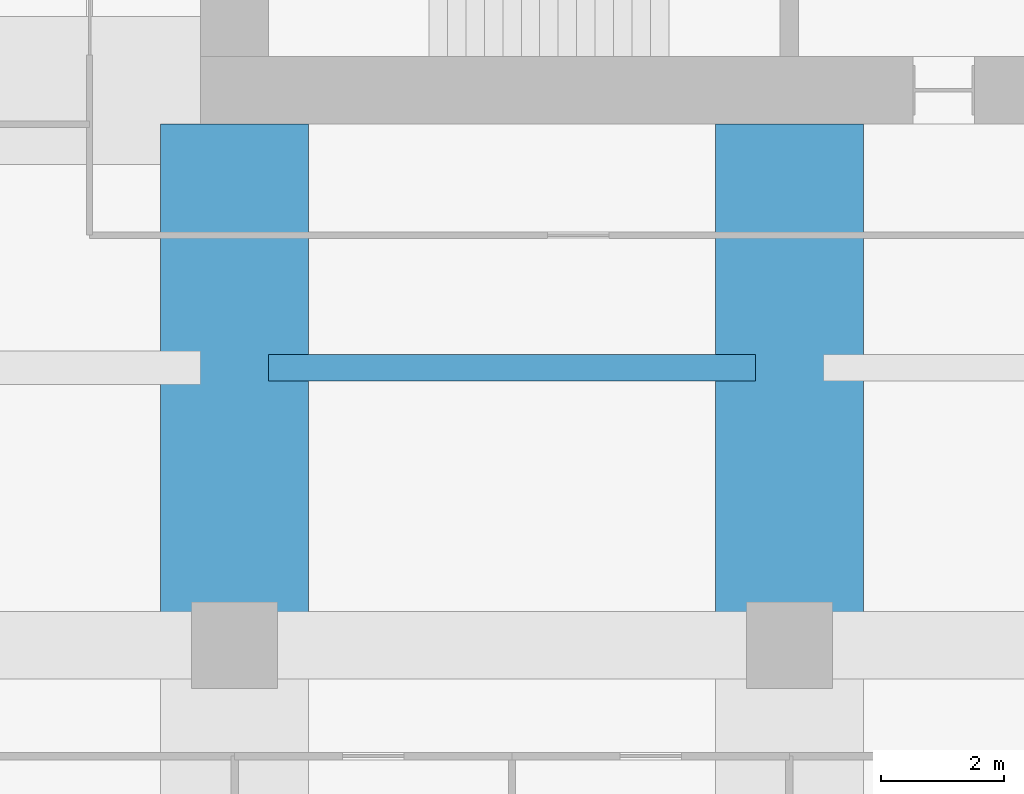
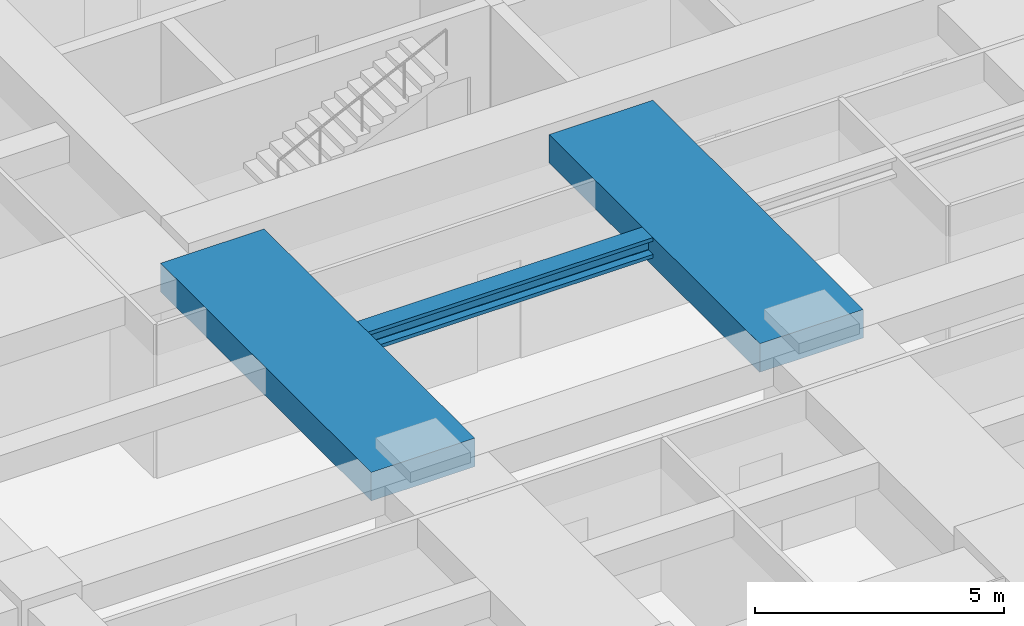
# One storey, part 8 of 35: 3 beams.
"""IFC4 building model written with IfcOpenShell, lengths in metres."""

from ifc_helpers import new_model, si_unit, direction, frame, origin, origin_2d, place, context, subcontext, project, spatial, rectangle, i_section, extrude, material, material_profile, profile_set, type_object, element, save


model = new_model("IFC4")

# Units and contexts
model_context = context("Model", 3, precision=1e-05, world=origin(), true_north=direction((0.0, 1.0)))
body_context = subcontext(model_context, "Body", "Model", "MODEL_VIEW")
ifc_project = project(units=[si_unit("LENGTHUNIT", "METRE"), si_unit("AREAUNIT", "SQUARE_METRE"), si_unit("VOLUMEUNIT", "CUBIC_METRE"), si_unit("PLANEANGLEUNIT", "RADIAN"), si_unit("MASSUNIT", "GRAM", prefix="KILO")], contexts=[model_context])

# Site, building, storey
site_placement = place(None, origin())
site = spatial("IfcSite", under=ifc_project, at=site_placement, CompositionType="ELEMENT")
building_placement = place(site_placement, origin())
building = spatial("IfcBuilding", under=site, at=building_placement, Name="Zorevar Civic Tower", CompositionType="ELEMENT")
storey_placement = place(building_placement, frame((0.0, 0.0, 218.199951171875)))
storey = spatial("IfcBuildingStorey", under=building, at=storey_placement, Name="L53", CompositionType="ELEMENT", Elevation=218.199951171875)

# Beams
ifc_material_1 = material(Name="Concrete C50/60", Category="concrete")
ifc_material_profile_1 = material_profile(ifc_material_1, rectangle(XDim=2.39990234375, YDim=0.699951171875, at=origin_2d()), Name="RC 2400x700")
ifc_profile_set_1 = profile_set([ifc_material_profile_1], Name="Concrete C50/60")
beam_type_1 = type_object("IfcBeamType", Name="Beam RC 2400x700", PredefinedType="BEAM", material=ifc_profile_set_1)
for number, where, z_axis, x_axis, name in (
    (1, (18.0, 9.0, 3.400146484375), (0.0, 1.0, 0.0), (-1.0, 0.0, 0.0), "Girder L54"),
    (2, (27.0, 9.0, 3.400146484375), (0.0, 1.0, 0.0), (-1.0, 0.0, 0.0), "Girder L54"),
):
    element("IfcBeam", number, at=place(storey_placement, frame(where, z_axis=z_axis, x_axis=x_axis)), inside=storey, type_object=beam_type_1, Name=name, PredefinedType="BEAM", context=body_context, shape_type="SweptSolid", body=[
        extrude(rectangle(XDim=2.39990234375, YDim=0.699951171875, at=origin_2d()), origin(), (0.0, 0.0, 1.0), 8.449951171875),
    ])
ifc_material_2 = material(Name="Steel S460M (HISTAR 460)", Category="steel")
ifc_material_profile_2 = material_profile(ifc_material_2, i_section(OverallWidth=0.431884765625, OverallDepth=0.498046875, WebThickness=0.0556640625, FlangeThickness=0.0888671875, FilletRadius=0.014892578125, at=origin_2d()), Name="HD 400x744")
ifc_profile_set_2 = profile_set([ifc_material_profile_2], Name="Steel S460M (HISTAR 460)")
beam_type_2 = type_object("IfcBeamType", Name="Core bay beam HD 400x744", PredefinedType="BEAM", material=ifc_profile_set_2)
beam_placement = place(storey_placement, frame((18.550048828125, 13.5, 3.5009765625), z_axis=(1.0, 0.0, 0.0), x_axis=(0.0, 1.0, 0.0)))
element("IfcBeam", 3, at=beam_placement, inside=storey, type_object=beam_type_2, Name="Secondary beam L54", PredefinedType="BEAM", context=body_context, shape_type="SweptSolid", body=[
    extrude(i_section(OverallWidth=0.431884765625, OverallDepth=0.498046875, WebThickness=0.0556640625, FlangeThickness=0.0888671875, FilletRadius=0.014892578125, at=origin_2d()), origin(), (0.0, 0.0, 1.0), 7.89990234375),
])

save(model, "model.ifc")
